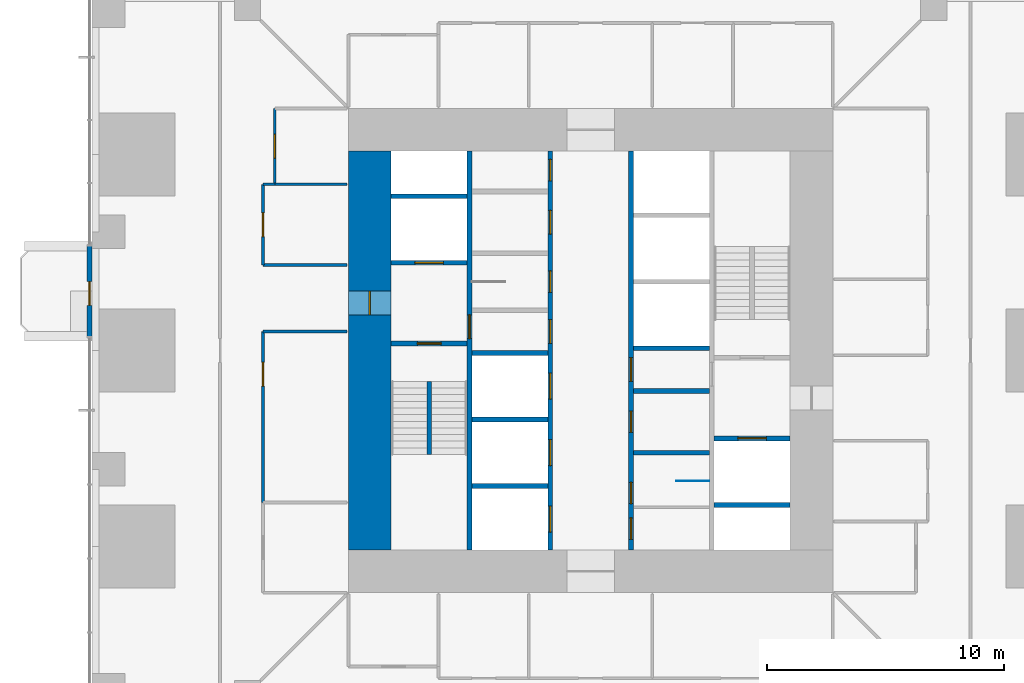
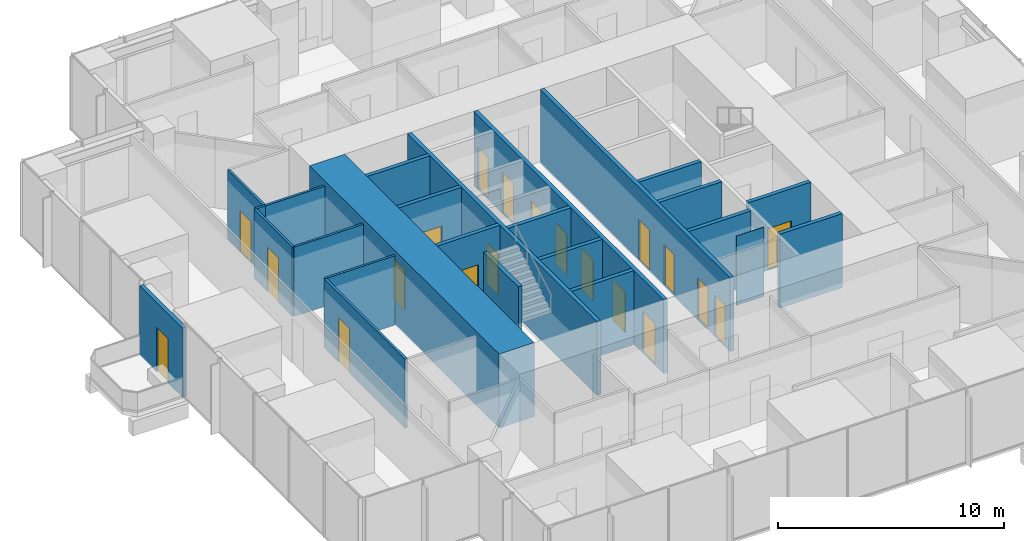
# One storey, part 10 of 15: 25 walls, 20 doors, 20 openings.
"""IFC4 building model written with IfcOpenShell, lengths in metres."""

from ifc_helpers import new_model, si_unit, direction, frame, frame_2d, origin, place, context, subcontext, project, spatial, rectangle, extrude, material, layer, layer_set, type_object, element, fill, save


model = new_model("IFC4")

# Units and contexts
model_context = context("Model", 3, precision=1e-05, world=origin(), true_north=direction((0.0, 1.0)))
body_context = subcontext(model_context, "Body", "Model", "MODEL_VIEW")
ifc_project = project(units=[si_unit("LENGTHUNIT", "METRE"), si_unit("AREAUNIT", "SQUARE_METRE"), si_unit("VOLUMEUNIT", "CUBIC_METRE"), si_unit("PLANEANGLEUNIT", "RADIAN"), si_unit("MASSUNIT", "GRAM", prefix="KILO")], contexts=[model_context])

# Site, building, storey
site_placement = place(None, origin())
site = spatial("IfcSite", under=ifc_project, at=site_placement, CompositionType="ELEMENT")
building_placement = place(site_placement, origin())
building = spatial("IfcBuilding", under=site, at=building_placement, Name="Svetlomir Tower", CompositionType="ELEMENT")
storey_placement = place(building_placement, frame((0.0, 0.0, 26.5)))
storey = spatial("IfcBuildingStorey", under=building, at=storey_placement, Name="L05", CompositionType="ELEMENT", Elevation=26.5)

# Wall, opening, door
ifc_material_1 = material(Name="Bronze anodised aluminium glazed screen", Category="aluminium")
ifc_layer_1 = layer(ifc_material_1, 0.199951171875)
ifc_layer_set_1 = layer_set([ifc_layer_1], Name="Bronze anodised aluminium glazed screen")
wall_type_1 = type_object("IfcWallType", Name="BALCONY SCREEN WALL 200", PredefinedType="USERDEFINED", material=ifc_layer_set_1)
wall_1_placement = place(storey_placement, frame((-0.10009765625, 25.39990234375, 0.0), z_axis=(0.0, 0.0, 1.0), x_axis=(0.0, -1.0, 0.0)))
wall_1 = element("IfcWall", 1, at=wall_1_placement, inside=storey, type_object=wall_type_1, Name="Balcony screen W", ObjectType="GLAZED SCREEN", PredefinedType="USERDEFINED", context=body_context, shape_type="SweptSolid", body=[
    extrude(rectangle(XDim=3.7998046875, YDim=0.199951171875, at=frame_2d((1.89990234375, 0.0))), origin(), (0.0, 0.0, 1.0), 3.75),
])
opening_1_placement = place(wall_1_placement, frame((1.5, 0.0, 0.0)))
opening_1 = element("IfcOpeningElement", 2, at=opening_1_placement, cuts=wall_1, Name="Opening BD", PredefinedType="OPENING", context=body_context, shape_type="SweptSolid", body=[
    extrude(rectangle(XDim=1.0, YDim=2.39990234375, at=frame_2d((0.5, 1.199951171875))), frame((0.0, 0.10986328125, 0.0), z_axis=(0.0, -1.0, 0.0), x_axis=(1.0, 0.0, 0.0)), (0.0, 0.0, 1.0), 0.219970703125),
])
ifc_material_2 = material(Name="Bronze anodised aluminium glazed door", Category="aluminium")
door_type_1 = type_object("IfcDoorType", Name="BALCONY DOOR BD 1000x2400", OperationType="SINGLE_SWING_LEFT", PredefinedType="DOOR", material=ifc_material_2)
door_1_placement = place(opening_1_placement, origin())
door_1 = element("IfcDoor", 3, at=door_1_placement, inside=storey, type_object=door_type_1, Name="Balcony screen W door", OperationType="SINGLE_SWING_LEFT", OverallHeight=2.39990234375, OverallWidth=1.0, PredefinedType="DOOR", context=body_context, shape_type="SweptSolid", body=[
    extrude(rectangle(XDim=1.0, YDim=2.39990234375, at=frame_2d((0.5, 1.199951171875))), frame((0.0, 0.02490234375, 0.0), z_axis=(0.0, -1.0, 0.0), x_axis=(1.0, 0.0, 0.0)), (0.0, 0.0, 1.0), 0.050048828125),
])
fill(opening_1, door_1)

ifc_material_3 = material(Name="Concrete C60/75", Category="concrete")
ifc_layer_2 = layer(ifc_material_3, 0.199951171875)
ifc_layer_set_2 = layer_set([ifc_layer_2], Name="Concrete C60/75")
wall_type_2 = type_object("IfcWallType", Name="CORE INNER WALL 200", PredefinedType="SHEAR", material=ifc_layer_set_2)
wall_2_placement = place(storey_placement, frame((15.89990234375, 12.60009765625, -0.050048828125), z_axis=(0.0, 0.0, 1.0), x_axis=(0.0, 1.0, 0.0)))
wall_2 = element("IfcWall", 4, at=wall_2_placement, inside=storey, type_object=wall_type_2, Name="Core inner wall 15.9 L05", PredefinedType="SHEAR", context=body_context, shape_type="SweptSolid", body=[
    extrude(rectangle(XDim=16.7998046875, YDim=0.199951171875, at=frame_2d((8.39990234375, 0.0))), origin(), (0.0, 0.0, 1.0), 4.0),
])
opening_2_placement = place(wall_2_placement, frame((8.89990234375, 0.0, 0.050048828125)))
opening_2 = element("IfcOpeningElement", 5, at=opening_2_placement, cuts=wall_2, Name="Opening DF", PredefinedType="OPENING", context=body_context, shape_type="SweptSolid", body=[
    extrude(rectangle(XDim=1.0, YDim=2.199951171875, at=frame_2d((0.5, 1.10009765625))), frame((0.0, 0.10986328125, 0.0), z_axis=(0.0, -1.0, 0.0), x_axis=(1.0, 0.0, 0.0)), (0.0, 0.0, 1.0), 0.219970703125),
])
ifc_material_4 = material(Name="Steel fire door", Category="steel")
door_type_2 = type_object("IfcDoorType", Name="DOOR DF 1000x2200", OperationType="SINGLE_SWING_LEFT", PredefinedType="DOOR", material=ifc_material_4)
door_2_placement = place(opening_2_placement, origin())
door_2 = element("IfcDoor", 6, at=door_2_placement, inside=storey, type_object=door_type_2, Name="Core corridor west door L05", OperationType="SINGLE_SWING_LEFT", OverallHeight=2.199951171875, OverallWidth=1.0, PredefinedType="DOOR", context=body_context, shape_type="SweptSolid", body=[
    extrude(rectangle(XDim=1.0, YDim=2.199951171875, at=frame_2d((0.5, 1.10009765625))), frame((0.0, 0.02490234375, 0.0), z_axis=(0.0, -1.0, 0.0), x_axis=(1.0, 0.0, 0.0)), (0.0, 0.0, 1.0), 0.050048828125),
])
fill(opening_2, door_2)

# Wall, openings, doors
wall_3_placement = place(storey_placement, frame((19.300048828125, 12.60009765625, -0.050048828125), z_axis=(0.0, 0.0, 1.0), x_axis=(0.0, 1.0, 0.0)))
wall_3 = element("IfcWall", 7, at=wall_3_placement, inside=storey, type_object=wall_type_2, Name="Core inner wall 19.3 L05", PredefinedType="SHEAR", context=body_context, shape_type="SweptSolid", body=[
    extrude(rectangle(XDim=16.7998046875, YDim=0.199951171875, at=frame_2d((8.39990234375, 0.0))), origin(), (0.0, 0.0, 1.0), 4.0),
])
opening_3_placement = place(wall_3_placement, frame((8.699951171875, 0.0, 0.050048828125)))
opening_3 = element("IfcOpeningElement", 8, at=opening_3_placement, cuts=wall_3, Name="Opening DC", PredefinedType="OPENING", context=body_context, shape_type="SweptSolid", body=[
    extrude(rectangle(XDim=1.0, YDim=2.199951171875, at=frame_2d((0.5, 1.10009765625))), frame((0.0, 0.10986328125, 0.0), z_axis=(0.0, -1.0, 0.0), x_axis=(1.0, 0.0, 0.0)), (0.0, 0.0, 1.0), 0.219970703125),
])
opening_4_placement = place(wall_3_placement, frame((10.85009765625, 0.0, 0.050048828125)))
opening_4 = element("IfcOpeningElement", 9, at=opening_4_placement, cuts=wall_3, Name="Opening DW", PredefinedType="OPENING", context=body_context, shape_type="SweptSolid", body=[
    extrude(rectangle(XDim=0.89990234375, YDim=2.199951171875, at=frame_2d((0.449951171875, 1.10009765625))), frame((0.0, 0.10986328125, 0.0), z_axis=(0.0, -1.0, 0.0), x_axis=(1.0, 0.0, 0.0)), (0.0, 0.0, 1.0), 0.219970703125),
])
opening_5_placement = place(wall_3_placement, frame((13.300048828125, 0.0, 0.050048828125)))
opening_5 = element("IfcOpeningElement", 10, at=opening_5_placement, cuts=wall_3, Name="Opening DC", PredefinedType="OPENING", context=body_context, shape_type="SweptSolid", body=[
    extrude(rectangle(XDim=1.0, YDim=2.199951171875, at=frame_2d((0.5, 1.10009765625))), frame((0.0, 0.10986328125, 0.0), z_axis=(0.0, -1.0, 0.0), x_axis=(1.0, 0.0, 0.0)), (0.0, 0.0, 1.0), 0.219970703125),
])
opening_6_placement = place(wall_3_placement, frame((15.550048828125, 0.0, 0.050048828125)))
opening_6 = element("IfcOpeningElement", 11, at=opening_6_placement, cuts=wall_3, Name="Opening DW", PredefinedType="OPENING", context=body_context, shape_type="SweptSolid", body=[
    extrude(rectangle(XDim=0.89990234375, YDim=2.199951171875, at=frame_2d((0.449951171875, 1.10009765625))), frame((0.0, 0.10986328125, 0.0), z_axis=(0.0, -1.0, 0.0), x_axis=(1.0, 0.0, 0.0)), (0.0, 0.0, 1.0), 0.219970703125),
])
opening_7_placement = place(wall_3_placement, frame((0.75, 0.0, 0.050048828125)))
opening_7 = element("IfcOpeningElement", 12, at=opening_7_placement, cuts=wall_3, Name="Opening LD", PredefinedType="OPENING", context=body_context, shape_type="SweptSolid", body=[
    extrude(rectangle(XDim=1.10009765625, YDim=2.199951171875, at=frame_2d((0.550048828125, 1.10009765625))), frame((0.0, 0.10986328125, 0.0), z_axis=(0.0, -1.0, 0.0), x_axis=(1.0, 0.0, 0.0)), (0.0, 0.0, 1.0), 0.219970703125),
])
opening_8_placement = place(wall_3_placement, frame((3.550048828125, 0.0, 0.050048828125)))
opening_8 = element("IfcOpeningElement", 13, at=opening_8_placement, cuts=wall_3, Name="Opening LD", PredefinedType="OPENING", context=body_context, shape_type="SweptSolid", body=[
    extrude(rectangle(XDim=1.10009765625, YDim=2.199951171875, at=frame_2d((0.550048828125, 1.10009765625))), frame((0.0, 0.10986328125, 0.0), z_axis=(0.0, -1.0, 0.0), x_axis=(1.0, 0.0, 0.0)), (0.0, 0.0, 1.0), 0.219970703125),
])
opening_9_placement = place(wall_3_placement, frame((6.35009765625, 0.0, 0.050048828125)))
opening_9 = element("IfcOpeningElement", 14, at=opening_9_placement, cuts=wall_3, Name="Opening LD", PredefinedType="OPENING", context=body_context, shape_type="SweptSolid", body=[
    extrude(rectangle(XDim=1.10009765625, YDim=2.199951171875, at=frame_2d((0.550048828125, 1.10009765625))), frame((0.0, 0.10986328125, 0.0), z_axis=(0.0, -1.0, 0.0), x_axis=(1.0, 0.0, 0.0)), (0.0, 0.0, 1.0), 0.219970703125),
])
ifc_material_5 = material(Name="Timber fire door", Category="wood")
door_type_3 = type_object("IfcDoorType", Name="DOOR DC 1000x2200", OperationType="SINGLE_SWING_LEFT", PredefinedType="DOOR", material=ifc_material_5)
door_3_placement = place(opening_3_placement, origin())
door_3 = element("IfcDoor", 15, at=door_3_placement, inside=storey, type_object=door_type_3, Name="Core corridor west lobby door L05", OperationType="SINGLE_SWING_RIGHT", OverallHeight=2.199951171875, OverallWidth=1.0, PredefinedType="DOOR", context=body_context, shape_type="SweptSolid", body=[
    extrude(rectangle(XDim=1.0, YDim=2.199951171875, at=frame_2d((0.5, 1.10009765625))), frame((0.0, 0.02490234375, 0.0), z_axis=(0.0, -1.0, 0.0), x_axis=(1.0, 0.0, 0.0)), (0.0, 0.0, 1.0), 0.050048828125),
])
fill(opening_3, door_3)
door_4_placement = place(opening_5_placement, origin())
door_4 = element("IfcDoor", 16, at=door_4_placement, inside=storey, type_object=door_type_3, Name="Accessible WC door L05", OperationType="SINGLE_SWING_LEFT", OverallHeight=2.199951171875, OverallWidth=1.0, PredefinedType="DOOR", context=body_context, shape_type="SweptSolid", body=[
    extrude(rectangle(XDim=1.0, YDim=2.199951171875, at=frame_2d((0.5, 1.10009765625))), frame((0.0, 0.02490234375, 0.0), z_axis=(0.0, -1.0, 0.0), x_axis=(1.0, 0.0, 0.0)), (0.0, 0.0, 1.0), 0.050048828125),
])
fill(opening_5, door_4)
ifc_material_6 = material(Name="Timber fire door", Category="wood")
door_type_4 = type_object("IfcDoorType", Name="DOOR DW 900x2200", OperationType="SINGLE_SWING_LEFT", PredefinedType="DOOR", material=ifc_material_6)
door_5_placement = place(opening_4_placement, origin())
door_5 = element("IfcDoor", 17, at=door_5_placement, inside=storey, type_object=door_type_4, Name="Female WC door L05", OperationType="SINGLE_SWING_RIGHT", OverallHeight=2.199951171875, OverallWidth=0.89990234375, PredefinedType="DOOR", context=body_context, shape_type="SweptSolid", body=[
    extrude(rectangle(XDim=0.89990234375, YDim=2.199951171875, at=frame_2d((0.449951171875, 1.10009765625))), frame((0.0, 0.02490234375, 0.0), z_axis=(0.0, -1.0, 0.0), x_axis=(1.0, 0.0, 0.0)), (0.0, 0.0, 1.0), 0.050048828125),
])
fill(opening_4, door_5)
door_6_placement = place(opening_6_placement, origin())
door_6 = element("IfcDoor", 18, at=door_6_placement, inside=storey, type_object=door_type_4, Name="Tea point door L05", OperationType="SINGLE_SWING_RIGHT", OverallHeight=2.199951171875, OverallWidth=0.89990234375, PredefinedType="DOOR", context=body_context, shape_type="SweptSolid", body=[
    extrude(rectangle(XDim=0.89990234375, YDim=2.199951171875, at=frame_2d((0.449951171875, 1.10009765625))), frame((0.0, 0.02490234375, 0.0), z_axis=(0.0, -1.0, 0.0), x_axis=(1.0, 0.0, 0.0)), (0.0, 0.0, 1.0), 0.050048828125),
])
fill(opening_6, door_6)
ifc_material_7 = material(Name="Stainless steel landing door", Category="steel")
door_type_5 = type_object("IfcDoorType", Name="LIFT LANDING DOOR LD 1100x2200", OperationType="DOUBLE_DOOR_SLIDING", PredefinedType="DOOR", material=ifc_material_7)
door_7_placement = place(opening_7_placement, origin())
door_7 = element("IfcDoor", 19, at=door_7_placement, inside=storey, type_object=door_type_5, Name="Landing door lift LA1 L05", OperationType="DOUBLE_DOOR_SLIDING", OverallHeight=2.199951171875, OverallWidth=1.10009765625, PredefinedType="DOOR", context=body_context, shape_type="SweptSolid", body=[
    extrude(rectangle(XDim=1.10009765625, YDim=2.199951171875, at=frame_2d((0.550048828125, 1.10009765625))), frame((0.0, 0.02490234375, 0.0), z_axis=(0.0, -1.0, 0.0), x_axis=(1.0, 0.0, 0.0)), (0.0, 0.0, 1.0), 0.050048828125),
])
fill(opening_7, door_7)
door_8_placement = place(opening_8_placement, origin())
door_8 = element("IfcDoor", 20, at=door_8_placement, inside=storey, type_object=door_type_5, Name="Landing door lift LA2 L05", OperationType="DOUBLE_DOOR_SLIDING", OverallHeight=2.199951171875, OverallWidth=1.10009765625, PredefinedType="DOOR", context=body_context, shape_type="SweptSolid", body=[
    extrude(rectangle(XDim=1.10009765625, YDim=2.199951171875, at=frame_2d((0.550048828125, 1.10009765625))), frame((0.0, 0.02490234375, 0.0), z_axis=(0.0, -1.0, 0.0), x_axis=(1.0, 0.0, 0.0)), (0.0, 0.0, 1.0), 0.050048828125),
])
fill(opening_8, door_8)
door_9_placement = place(opening_9_placement, origin())
door_9 = element("IfcDoor", 21, at=door_9_placement, inside=storey, type_object=door_type_5, Name="Landing door lift LA3 L05", OperationType="DOUBLE_DOOR_SLIDING", OverallHeight=2.199951171875, OverallWidth=1.10009765625, PredefinedType="DOOR", context=body_context, shape_type="SweptSolid", body=[
    extrude(rectangle(XDim=1.10009765625, YDim=2.199951171875, at=frame_2d((0.550048828125, 1.10009765625))), frame((0.0, 0.02490234375, 0.0), z_axis=(0.0, -1.0, 0.0), x_axis=(1.0, 0.0, 0.0)), (0.0, 0.0, 1.0), 0.050048828125),
])
fill(opening_9, door_9)

wall_4_placement = place(storey_placement, frame((22.699951171875, 12.60009765625, -0.050048828125), z_axis=(0.0, 0.0, 1.0), x_axis=(0.0, 1.0, 0.0)))
wall_4 = element("IfcWall", 22, at=wall_4_placement, inside=storey, type_object=wall_type_2, Name="Core inner wall 22.7 L05", PredefinedType="SHEAR", context=body_context, shape_type="SweptSolid", body=[
    extrude(rectangle(XDim=16.7998046875, YDim=0.199951171875, at=frame_2d((8.39990234375, 0.0))), origin(), (0.0, 0.0, 1.0), 4.0),
])
opening_10_placement = place(wall_4_placement, frame((0.449951171875, 0.0, 0.050048828125)))
opening_10 = element("IfcOpeningElement", 23, at=opening_10_placement, cuts=wall_4, Name="Opening DW", PredefinedType="OPENING", context=body_context, shape_type="SweptSolid", body=[
    extrude(rectangle(XDim=0.89990234375, YDim=2.199951171875, at=frame_2d((0.449951171875, 1.10009765625))), frame((0.0, 0.10986328125, 0.0), z_axis=(0.0, -1.0, 0.0), x_axis=(1.0, 0.0, 0.0)), (0.0, 0.0, 1.0), 0.219970703125),
])
opening_11_placement = place(wall_4_placement, frame((7.10009765625, 0.0, 0.050048828125)))
opening_11 = element("IfcOpeningElement", 24, at=opening_11_placement, cuts=wall_4, Name="Opening DC", PredefinedType="OPENING", context=body_context, shape_type="SweptSolid", body=[
    extrude(rectangle(XDim=1.0, YDim=2.199951171875, at=frame_2d((0.5, 1.10009765625))), frame((0.0, 0.10986328125, 0.0), z_axis=(0.0, -1.0, 0.0), x_axis=(1.0, 0.0, 0.0)), (0.0, 0.0, 1.0), 0.219970703125),
])
opening_12_placement = place(wall_4_placement, frame((1.949951171875, 0.0, 0.050048828125)))
opening_12 = element("IfcOpeningElement", 25, at=opening_12_placement, cuts=wall_4, Name="Opening DW", PredefinedType="OPENING", context=body_context, shape_type="SweptSolid", body=[
    extrude(rectangle(XDim=0.89990234375, YDim=2.199951171875, at=frame_2d((0.449951171875, 1.10009765625))), frame((0.0, 0.10986328125, 0.0), z_axis=(0.0, -1.0, 0.0), x_axis=(1.0, 0.0, 0.0)), (0.0, 0.0, 1.0), 0.219970703125),
])
opening_13_placement = place(wall_4_placement, frame((4.949951171875, 0.0, 0.050048828125)))
opening_13 = element("IfcOpeningElement", 26, at=opening_13_placement, cuts=wall_4, Name="Opening DW", PredefinedType="OPENING", context=body_context, shape_type="SweptSolid", body=[
    extrude(rectangle(XDim=0.89990234375, YDim=2.199951171875, at=frame_2d((0.449951171875, 1.10009765625))), frame((0.0, 0.10986328125, 0.0), z_axis=(0.0, -1.0, 0.0), x_axis=(1.0, 0.0, 0.0)), (0.0, 0.0, 1.0), 0.219970703125),
])
door_10_placement = place(opening_11_placement, origin())
door_10 = element("IfcDoor", 27, at=door_10_placement, inside=storey, type_object=door_type_3, Name="Core corridor east lobby door L05", OperationType="SINGLE_SWING_LEFT", OverallHeight=2.199951171875, OverallWidth=1.0, PredefinedType="DOOR", context=body_context, shape_type="SweptSolid", body=[
    extrude(rectangle(XDim=1.0, YDim=2.199951171875, at=frame_2d((0.5, 1.10009765625))), frame((0.0, 0.02490234375, 0.0), z_axis=(0.0, -1.0, 0.0), x_axis=(1.0, 0.0, 0.0)), (0.0, 0.0, 1.0), 0.050048828125),
])
fill(opening_11, door_10)
door_11_placement = place(opening_10_placement, origin())
door_11 = element("IfcDoor", 28, at=door_11_placement, inside=storey, type_object=door_type_4, Name="Floor store door L05", OperationType="SINGLE_SWING_LEFT", OverallHeight=2.199951171875, OverallWidth=0.89990234375, PredefinedType="DOOR", context=body_context, shape_type="SweptSolid", body=[
    extrude(rectangle(XDim=0.89990234375, YDim=2.199951171875, at=frame_2d((0.449951171875, 1.10009765625))), frame((0.0, 0.02490234375, 0.0), z_axis=(0.0, -1.0, 0.0), x_axis=(1.0, 0.0, 0.0)), (0.0, 0.0, 1.0), 0.050048828125),
])
fill(opening_10, door_11)
door_12_placement = place(opening_12_placement, origin())
door_12 = element("IfcDoor", 29, at=door_12_placement, inside=storey, type_object=door_type_4, Name="Male WC door L05", OperationType="SINGLE_SWING_LEFT", OverallHeight=2.199951171875, OverallWidth=0.89990234375, PredefinedType="DOOR", context=body_context, shape_type="SweptSolid", body=[
    extrude(rectangle(XDim=0.89990234375, YDim=2.199951171875, at=frame_2d((0.449951171875, 1.10009765625))), frame((0.0, 0.02490234375, 0.0), z_axis=(0.0, -1.0, 0.0), x_axis=(1.0, 0.0, 0.0)), (0.0, 0.0, 1.0), 0.050048828125),
])
fill(opening_12, door_12)
door_13_placement = place(opening_13_placement, origin())
door_13 = element("IfcDoor", 30, at=door_13_placement, inside=storey, type_object=door_type_4, Name="Comms room door L05", OperationType="SINGLE_SWING_RIGHT", OverallHeight=2.199951171875, OverallWidth=0.89990234375, PredefinedType="DOOR", context=body_context, shape_type="SweptSolid", body=[
    extrude(rectangle(XDim=0.89990234375, YDim=2.199951171875, at=frame_2d((0.449951171875, 1.10009765625))), frame((0.0, 0.02490234375, 0.0), z_axis=(0.0, -1.0, 0.0), x_axis=(1.0, 0.0, 0.0)), (0.0, 0.0, 1.0), 0.050048828125),
])
fill(opening_13, door_13)

# Wall, opening, door
wall_5_placement = place(storey_placement, frame((12.60009765625, 21.300048828125, -0.050048828125), z_axis=(0.0, 0.0, 1.0), x_axis=(1.0, 0.0, 0.0)))
wall_5 = element("IfcWall", 31, at=wall_5_placement, inside=storey, type_object=wall_type_2, Name="Core inner wall 12.6-15.8/21.3 L05", PredefinedType="SHEAR", context=body_context, shape_type="SweptSolid", body=[
    extrude(rectangle(XDim=3.199951171875, YDim=0.199951171875, at=frame_2d((1.60009765625, 0.0))), origin(), (0.0, 0.0, 1.0), 4.0),
])
opening_14_placement = place(wall_5_placement, frame((1.10009765625, 0.0, 0.050048828125)))
opening_14 = element("IfcOpeningElement", 32, at=opening_14_placement, cuts=wall_5, Name="Opening DF", PredefinedType="OPENING", context=body_context, shape_type="SweptSolid", body=[
    extrude(rectangle(XDim=1.0, YDim=2.199951171875, at=frame_2d((0.5, 1.10009765625))), frame((0.0, 0.10986328125, 0.0), z_axis=(0.0, -1.0, 0.0), x_axis=(1.0, 0.0, 0.0)), (0.0, 0.0, 1.0), 0.219970703125),
])
door_14_placement = place(opening_14_placement, origin())
door_14 = element("IfcDoor", 33, at=door_14_placement, inside=storey, type_object=door_type_2, Name="Stair S1 door L05", OperationType="SINGLE_SWING_RIGHT", OverallHeight=2.199951171875, OverallWidth=1.0, PredefinedType="DOOR", context=body_context, shape_type="SweptSolid", body=[
    extrude(rectangle(XDim=1.0, YDim=2.199951171875, at=frame_2d((0.5, 1.10009765625))), frame((0.0, 0.02490234375, 0.0), z_axis=(0.0, -1.0, 0.0), x_axis=(1.0, 0.0, 0.0)), (0.0, 0.0, 1.0), 0.050048828125),
])
fill(opening_14, door_14)

wall_6_placement = place(storey_placement, frame((12.60009765625, 24.699951171875, -0.050048828125), z_axis=(0.0, 0.0, 1.0), x_axis=(1.0, 0.0, 0.0)))
wall_6 = element("IfcWall", 34, at=wall_6_placement, inside=storey, type_object=wall_type_2, Name="Core inner wall 12.6-15.8/24.7 L05", PredefinedType="SHEAR", context=body_context, shape_type="SweptSolid", body=[
    extrude(rectangle(XDim=3.199951171875, YDim=0.199951171875, at=frame_2d((1.60009765625, 0.0))), origin(), (0.0, 0.0, 1.0), 4.0),
])
opening_15_placement = place(wall_6_placement, frame((1.0, 0.0, 0.050048828125)))
opening_15 = element("IfcOpeningElement", 35, at=opening_15_placement, cuts=wall_6, Name="Opening LD3", PredefinedType="OPENING", context=body_context, shape_type="SweptSolid", body=[
    extrude(rectangle(XDim=1.199951171875, YDim=2.199951171875, at=frame_2d((0.60009765625, 1.10009765625))), frame((0.0, 0.10986328125, 0.0), z_axis=(0.0, -1.0, 0.0), x_axis=(1.0, 0.0, 0.0)), (0.0, 0.0, 1.0), 0.219970703125),
])
ifc_material_8 = material(Name="Stainless steel fire-rated landing door", Category="steel")
door_type_6 = type_object("IfcDoorType", Name="FIREFIGHTING LIFT LANDING DOOR LD3 1200x2200", OperationType="DOUBLE_DOOR_SLIDING", PredefinedType="DOOR", material=ifc_material_8)
door_15_placement = place(opening_15_placement, origin())
door_15 = element("IfcDoor", 36, at=door_15_placement, inside=storey, type_object=door_type_6, Name="Landing door lift FL1 L05", OperationType="DOUBLE_DOOR_SLIDING", OverallHeight=2.199951171875, OverallWidth=1.199951171875, PredefinedType="DOOR", context=body_context, shape_type="SweptSolid", body=[
    extrude(rectangle(XDim=1.199951171875, YDim=2.199951171875, at=frame_2d((0.60009765625, 1.10009765625))), frame((0.0, 0.02490234375, 0.0), z_axis=(0.0, -1.0, 0.0), x_axis=(1.0, 0.0, 0.0)), (0.0, 0.0, 1.0), 0.050048828125),
])
fill(opening_15, door_15)

# Walls
for number, where, z_axis, x_axis, name in (
    (37, (12.60009765625, 27.5, -0.050048828125), (0.0, 0.0, 1.0), (1.0, 0.0, 0.0), "Core inner wall 12.6-15.8/27.5 L05"),
    (38, (16.0, 15.300048828125, -0.050048828125), (0.0, 0.0, 1.0), (1.0, 0.0, 0.0), "Core inner wall 16-19.2/15.3 L05"),
    (39, (16.0, 18.10009765625, -0.050048828125), (0.0, 0.0, 1.0), (1.0, 0.0, 0.0), "Core inner wall 16-19.2/18.1 L05"),
    (40, (16.0, 20.89990234375, -0.050048828125), (0.0, 0.0, 1.0), (1.0, 0.0, 0.0), "Core inner wall 16-19.2/20.9 L05"),
    (41, (22.800048828125, 16.699951171875, -0.050048828125), (0.0, 0.0, 1.0), (1.0, 0.0, 0.0), "Core inner wall 22.8-26/16.7 L05"),
    (42, (22.800048828125, 19.300048828125, -0.050048828125), (0.0, 0.0, 1.0), (1.0, 0.0, 0.0), "Core inner wall 22.8-26/19.3 L05"),
    (43, (22.800048828125, 21.10009765625, -0.050048828125), (0.0, 0.0, 1.0), (1.0, 0.0, 0.0), "Core inner wall 22.8-26/21.1 L05"),
    (44, (26.199951171875, 14.5, -0.050048828125), (0.0, 0.0, 1.0), (1.0, 0.0, 0.0), "Core inner wall 26.2-29.4/14.5 L05"),
):
    element("IfcWall", number, at=place(storey_placement, frame(where, z_axis=z_axis, x_axis=x_axis)), inside=storey, type_object=wall_type_2, Name=name, PredefinedType="SHEAR", context=body_context, shape_type="SweptSolid", body=[
        extrude(rectangle(XDim=3.199951171875, YDim=0.199951171875, at=frame_2d((1.60009765625, 0.0))), origin(), (0.0, 0.0, 1.0), 4.0),
    ])

# Wall, opening, door
wall_7_placement = place(storey_placement, frame((26.199951171875, 17.300048828125, -0.050048828125), z_axis=(0.0, 0.0, 1.0), x_axis=(1.0, 0.0, 0.0)))
wall_7 = element("IfcWall", 45, at=wall_7_placement, inside=storey, type_object=wall_type_2, Name="Core inner wall 26.2-29.4/17.3 L05", PredefinedType="SHEAR", context=body_context, shape_type="SweptSolid", body=[
    extrude(rectangle(XDim=3.199951171875, YDim=0.199951171875, at=frame_2d((1.60009765625, 0.0))), origin(), (0.0, 0.0, 1.0), 4.0),
])
opening_16_placement = place(wall_7_placement, frame((1.0, 0.0, 0.050048828125)))
opening_16 = element("IfcOpeningElement", 46, at=opening_16_placement, cuts=wall_7, Name="Opening LD3", PredefinedType="OPENING", context=body_context, shape_type="SweptSolid", body=[
    extrude(rectangle(XDim=1.199951171875, YDim=2.199951171875, at=frame_2d((0.60009765625, 1.10009765625))), frame((0.0, 0.10986328125, 0.0), z_axis=(0.0, -1.0, 0.0), x_axis=(1.0, 0.0, 0.0)), (0.0, 0.0, 1.0), 0.219970703125),
])
door_16_placement = place(opening_16_placement, origin())
door_16 = element("IfcDoor", 47, at=door_16_placement, inside=storey, type_object=door_type_6, Name="Landing door lift FL2 L05", OperationType="DOUBLE_DOOR_SLIDING", OverallHeight=2.199951171875, OverallWidth=1.199951171875, PredefinedType="DOOR", context=body_context, shape_type="SweptSolid", body=[
    extrude(rectangle(XDim=1.199951171875, YDim=2.199951171875, at=frame_2d((0.60009765625, 1.10009765625))), frame((0.0, 0.02490234375, 0.0), z_axis=(0.0, -1.0, 0.0), x_axis=(1.0, 0.0, 0.0)), (0.0, 0.0, 1.0), 0.050048828125),
])
fill(opening_16, door_16)

ifc_material_9 = material(Name="Concrete C60/75", Category="concrete")
ifc_layer_3 = layer(ifc_material_9, 1.800048828125)
ifc_layer_set_3 = layer_set([ifc_layer_3], Name="Concrete C60/75")
wall_type_3 = type_object("IfcWallType", Name="CORE WALL 1800", PredefinedType="SHEAR", material=ifc_layer_set_3)
wall_8_placement = place(storey_placement, frame((11.699951171875, 12.60009765625, -0.050048828125), z_axis=(0.0, 0.0, 1.0), x_axis=(0.0, 1.0, 0.0)))
wall_8 = element("IfcWall", 48, at=wall_8_placement, inside=storey, type_object=wall_type_3, Name="Core wall west L05", PredefinedType="SHEAR", context=body_context, shape_type="SweptSolid", body=[
    extrude(rectangle(XDim=16.7998046875, YDim=1.800048828125, at=frame_2d((8.39990234375, 0.0))), origin(), (0.0, 0.0, 1.0), 4.0),
])
opening_17_placement = place(wall_8_placement, frame((9.89990234375, 0.0, 0.050048828125)))
opening_17 = element("IfcOpeningElement", 49, at=opening_17_placement, cuts=wall_8, Name="Opening DF", PredefinedType="OPENING", context=body_context, shape_type="SweptSolid", body=[
    extrude(rectangle(XDim=1.0, YDim=2.199951171875, at=frame_2d((0.5, 1.10009765625))), frame((0.0, 0.91015625, 0.0), z_axis=(0.0, -1.0, 0.0), x_axis=(1.0, 0.0, 0.0)), (0.0, 0.0, 1.0), 1.820068359375),
])
door_17_placement = place(opening_17_placement, origin())
door_17 = element("IfcDoor", 50, at=door_17_placement, inside=storey, type_object=door_type_2, Name="Firefighting lobby west door L05", OperationType="SINGLE_SWING_RIGHT", OverallHeight=2.199951171875, OverallWidth=1.0, PredefinedType="DOOR", context=body_context, shape_type="SweptSolid", body=[
    extrude(rectangle(XDim=1.0, YDim=2.199951171875, at=frame_2d((0.5, 1.10009765625))), frame((0.0, 0.02490234375, 0.0), z_axis=(0.0, -1.0, 0.0), x_axis=(1.0, 0.0, 0.0)), (0.0, 0.0, 1.0), 0.050048828125),
])
fill(opening_17, door_17)

ifc_material_10 = material(Name="Gypsum board on steel studs", Category="steel")
ifc_layer_4 = layer(ifc_material_10, 0.1201171875)
ifc_layer_set_4 = layer_set([ifc_layer_4], Name="Gypsum board on steel studs")
wall_type_4 = type_object("IfcWallType", Name="PARTITION 120", PredefinedType="PARTITIONING", material=ifc_layer_set_4)
wall_9_placement = place(storey_placement, frame((7.199951171875, 14.60009765625, 0.0), z_axis=(0.0, 0.0, 1.0), x_axis=(0.0, 1.0, 0.0)))
wall_9 = element("IfcWall", 51, at=wall_9_placement, inside=storey, type_object=wall_type_4, Name="Partition L05", PredefinedType="PARTITIONING", context=body_context, shape_type="SweptSolid", body=[
    extrude(rectangle(XDim=7.199951171875, YDim=0.1201171875, at=frame_2d((3.60009765625, 0.0))), origin(), (0.0, 0.0, 1.0), 3.75),
])
opening_18_placement = place(wall_9_placement, frame((4.89990234375, 0.0, 0.0)))
opening_18 = element("IfcOpeningElement", 52, at=opening_18_placement, cuts=wall_9, Name="Opening DG", PredefinedType="OPENING", context=body_context, shape_type="SweptSolid", body=[
    extrude(rectangle(XDim=1.0, YDim=2.39990234375, at=frame_2d((0.5, 1.199951171875))), frame((0.0, 0.070068359375, 0.0), z_axis=(0.0, -1.0, 0.0), x_axis=(1.0, 0.0, 0.0)), (0.0, 0.0, 1.0), 0.14013671875),
])
ifc_material_11 = material(Name="Framed laminated glass door", Category="glass")
door_type_7 = type_object("IfcDoorType", Name="GLAZED DOOR DG 1000x2400", OperationType="SINGLE_SWING_LEFT", PredefinedType="DOOR", material=ifc_material_11)
door_18_placement = place(opening_18_placement, origin())
door_18 = element("IfcDoor", 53, at=door_18_placement, inside=storey, type_object=door_type_7, Name="Ring corridor 3 door 2 L05", OperationType="SINGLE_SWING_LEFT", OverallHeight=2.39990234375, OverallWidth=1.0, PredefinedType="DOOR", context=body_context, shape_type="SweptSolid", body=[
    extrude(rectangle(XDim=1.0, YDim=2.39990234375, at=frame_2d((0.5, 1.199951171875))), frame((0.0, 0.02490234375, 0.0), z_axis=(0.0, -1.0, 0.0), x_axis=(1.0, 0.0, 0.0)), (0.0, 0.0, 1.0), 0.050048828125),
])
fill(opening_18, door_18)

# Wall
wall_10_placement = place(storey_placement, frame((7.199951171875, 21.800048828125, 0.0), z_axis=(0.0, 0.0, 1.0), x_axis=(1.0, 0.0, 0.0)))
element("IfcWall", 54, at=wall_10_placement, inside=storey, type_object=wall_type_4, Name="Partition L05", PredefinedType="PARTITIONING", context=body_context, shape_type="SweptSolid", body=[
    extrude(rectangle(XDim=3.550048828125, YDim=0.1201171875, at=frame_2d((1.77490234375, 0.0))), origin(), (0.0, 0.0, 1.0), 3.75),
])

# Wall, opening, door
wall_11_placement = place(storey_placement, frame((7.199951171875, 24.60009765625, 0.0), z_axis=(0.0, 0.0, 1.0), x_axis=(0.0, 1.0, 0.0)))
wall_11 = element("IfcWall", 55, at=wall_11_placement, inside=storey, type_object=wall_type_4, Name="Partition L05", PredefinedType="PARTITIONING", context=body_context, shape_type="SweptSolid", body=[
    extrude(rectangle(XDim=3.39990234375, YDim=0.1201171875, at=frame_2d((1.699951171875, 0.0))), origin(), (0.0, 0.0, 1.0), 3.75),
])
opening_19_placement = place(wall_11_placement, frame((1.199951171875, 0.0, 0.0)))
opening_19 = element("IfcOpeningElement", 56, at=opening_19_placement, cuts=wall_11, Name="Opening DG", PredefinedType="OPENING", context=body_context, shape_type="SweptSolid", body=[
    extrude(rectangle(XDim=1.0, YDim=2.39990234375, at=frame_2d((0.5, 1.199951171875))), frame((0.0, 0.070068359375, 0.0), z_axis=(0.0, -1.0, 0.0), x_axis=(1.0, 0.0, 0.0)), (0.0, 0.0, 1.0), 0.14013671875),
])
door_19_placement = place(opening_19_placement, origin())
door_19 = element("IfcDoor", 57, at=door_19_placement, inside=storey, type_object=door_type_7, Name="Quiet room door L05", OperationType="SINGLE_SWING_LEFT", OverallHeight=2.39990234375, OverallWidth=1.0, PredefinedType="DOOR", context=body_context, shape_type="SweptSolid", body=[
    extrude(rectangle(XDim=1.0, YDim=2.39990234375, at=frame_2d((0.5, 1.199951171875))), frame((0.0, 0.02490234375, 0.0), z_axis=(0.0, -1.0, 0.0), x_axis=(1.0, 0.0, 0.0)), (0.0, 0.0, 1.0), 0.050048828125),
])
fill(opening_19, door_19)

# Walls
wall_12_placement = place(storey_placement, frame((7.199951171875, 24.60009765625, 0.0), z_axis=(0.0, 0.0, 1.0), x_axis=(1.0, 0.0, 0.0)))
element("IfcWall", 58, at=wall_12_placement, inside=storey, type_object=wall_type_4, Name="Partition L05", PredefinedType="PARTITIONING", context=body_context, shape_type="SweptSolid", body=[
    extrude(rectangle(XDim=3.550048828125, YDim=0.1201171875, at=frame_2d((1.77490234375, 0.0))), origin(), (0.0, 0.0, 1.0), 3.75),
])
wall_13_placement = place(storey_placement, frame((7.199951171875, 28.0, 0.0), z_axis=(0.0, 0.0, 1.0), x_axis=(1.0, 0.0, 0.0)))
element("IfcWall", 59, at=wall_13_placement, inside=storey, type_object=wall_type_4, Name="Partition L05", PredefinedType="PARTITIONING", context=body_context, shape_type="SweptSolid", body=[
    extrude(rectangle(XDim=0.5, YDim=0.1201171875, at=frame_2d((0.25, 0.0))), origin(), (0.0, 0.0, 1.0), 3.75),
])

# Wall, opening, door
wall_14_placement = place(storey_placement, frame((7.699951171875, 28.0, 0.0), z_axis=(0.0, 0.0, 1.0), x_axis=(0.0, 1.0, 0.0)))
wall_14 = element("IfcWall", 60, at=wall_14_placement, inside=storey, type_object=wall_type_4, Name="Partition L05", PredefinedType="PARTITIONING", context=body_context, shape_type="SweptSolid", body=[
    extrude(rectangle(XDim=3.199951171875, YDim=0.1201171875, at=frame_2d((1.60009765625, 0.0))), origin(), (0.0, 0.0, 1.0), 3.75),
])
opening_20_placement = place(wall_14_placement, frame((1.10009765625, 0.0, 0.0)))
opening_20 = element("IfcOpeningElement", 61, at=opening_20_placement, cuts=wall_14, Name="Opening DR", PredefinedType="OPENING", context=body_context, shape_type="SweptSolid", body=[
    extrude(rectangle(XDim=1.0, YDim=2.199951171875, at=frame_2d((0.5, 1.10009765625))), frame((0.0, 0.070068359375, 0.0), z_axis=(0.0, -1.0, 0.0), x_axis=(1.0, 0.0, 0.0)), (0.0, 0.0, 1.0), 0.14013671875),
])
ifc_material_12 = material(Name="Timber door, glazed side light", Category="wood")
door_type_8 = type_object("IfcDoorType", Name="DOOR DR 1000x2200", OperationType="SINGLE_SWING_LEFT", PredefinedType="DOOR", material=ifc_material_12)
door_20_placement = place(opening_20_placement, origin())
door_20 = element("IfcDoor", 62, at=door_20_placement, inside=storey, type_object=door_type_8, Name="Stationery store door L05", OperationType="SINGLE_SWING_RIGHT", OverallHeight=2.199951171875, OverallWidth=1.0, PredefinedType="DOOR", context=body_context, shape_type="SweptSolid", body=[
    extrude(rectangle(XDim=1.0, YDim=2.199951171875, at=frame_2d((0.5, 1.10009765625))), frame((0.0, 0.02490234375, 0.0), z_axis=(0.0, -1.0, 0.0), x_axis=(1.0, 0.0, 0.0)), (0.0, 0.0, 1.0), 0.050048828125),
])
fill(opening_20, door_20)

# Walls
wall_15_placement = place(storey_placement, frame((7.699951171875, 28.0, 0.0), z_axis=(0.0, 0.0, 1.0), x_axis=(1.0, 0.0, 0.0)))
element("IfcWall", 63, at=wall_15_placement, inside=storey, type_object=wall_type_4, Name="Partition L05", PredefinedType="PARTITIONING", context=body_context, shape_type="SweptSolid", body=[
    extrude(rectangle(XDim=3.050048828125, YDim=0.1201171875, at=frame_2d((1.52490234375, 0.0))), origin(), (0.0, 0.0, 1.0), 3.75),
])
ifc_material_13 = material(Name="Concrete C60/75", Category="concrete")
ifc_layer_5 = layer(ifc_material_13, 0.199951171875)
ifc_layer_set_5 = layer_set([ifc_layer_5], Name="Concrete C60/75")
wall_type_5 = type_object("IfcWallType", Name="STAIR SPINE WALL 200", PredefinedType="PARTITIONING", material=ifc_layer_set_5)
wall_16_placement = place(storey_placement, frame((14.199951171875, 16.6201171875, 0.0), z_axis=(0.0, 0.0, 1.0), x_axis=(0.0, 1.0, 0.0)))
element("IfcWall", 64, at=wall_16_placement, inside=storey, type_object=wall_type_5, Name="Stair S1 spine wall L05", PredefinedType="PARTITIONING", context=body_context, shape_type="SweptSolid", body=[
    extrude(rectangle(XDim=3.079833984375, YDim=0.199951171875, at=frame_2d((1.5400390625, 0.0))), origin(), (0.0, 0.0, 1.0), 4.0),
])
ifc_material_14 = material(Name="Compact laminate panel", Category="plastic")
ifc_layer_6 = layer(ifc_material_14, 0.030029296875)
ifc_layer_set_6 = layer_set([ifc_layer_6], Name="Compact laminate panel")
wall_type_6 = type_object("IfcWallType", Name="WC CUBICLE PARTITION 30", PredefinedType="PARTITIONING", material=ifc_layer_set_6)
wall_17_placement = place(storey_placement, frame((24.60009765625, 15.5, 0.0), z_axis=(0.0, 0.0, 1.0), x_axis=(1.0, 0.0, 0.0)))
element("IfcWall", 65, at=wall_17_placement, inside=storey, type_object=wall_type_6, Name="WC cubicle partition L05", PredefinedType="PARTITIONING", context=body_context, shape_type="SweptSolid", body=[
    extrude(rectangle(XDim=1.39990234375, YDim=0.030029296875, at=frame_2d((0.699951171875, 0.0))), origin(), (0.0, 0.0, 1.0), 3.75),
])

save(model, "model.ifc")
